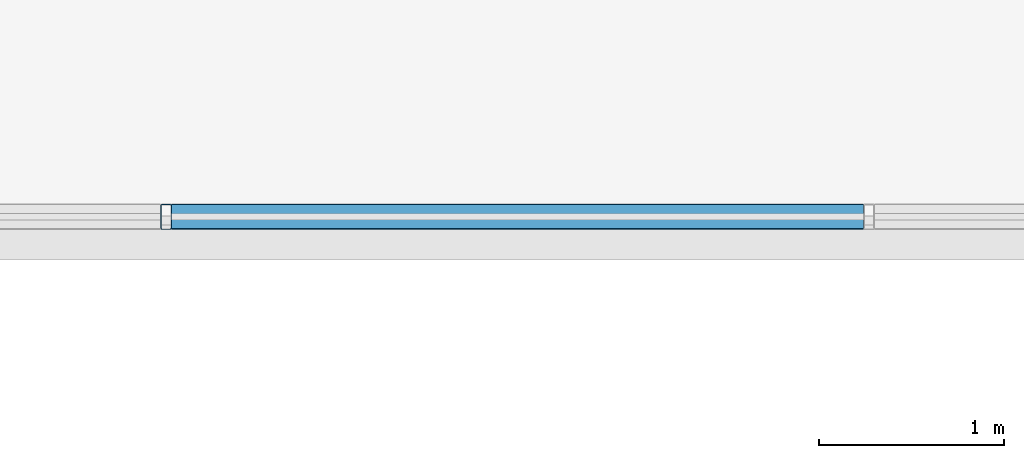
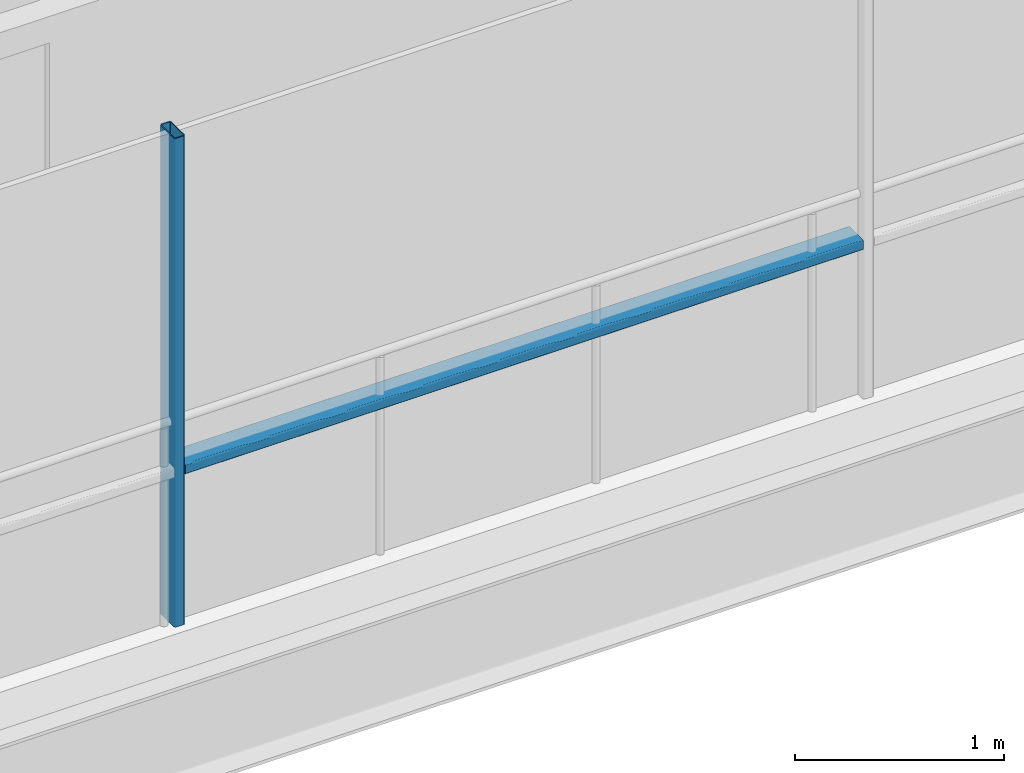
# One storey, part 11 of 40: 2 members, 1 element without a shape of its own.
"""IFC4 building model written with IfcOpenShell, lengths in metres."""

from ifc_helpers import new_model, si_unit, direction, frame, origin, origin_2d, place, context, subcontext, project, spatial, hollow_rectangle, extrude, material, layer, layer_set, material_profile, profile_set, type_object, element, aggregate, save


model = new_model("IFC4")

# Units and contexts
model_context = context("Model", 3, precision=1e-05, world=origin(), true_north=direction((0.0, 1.0)))
body_context = subcontext(model_context, "Body", "Model", "MODEL_VIEW")
ifc_project = project(units=[si_unit("LENGTHUNIT", "METRE"), si_unit("AREAUNIT", "SQUARE_METRE"), si_unit("VOLUMEUNIT", "CUBIC_METRE"), si_unit("PLANEANGLEUNIT", "RADIAN"), si_unit("MASSUNIT", "GRAM", prefix="KILO")], contexts=[model_context])

# Site, building, storey
site_placement = place(None, origin())
site = spatial("IfcSite", under=ifc_project, at=site_placement, CompositionType="ELEMENT")
building_placement = place(site_placement, origin())
building = spatial("IfcBuilding", under=site, at=building_placement, Name="Brevholm Reach", CompositionType="ELEMENT")
storey_placement = place(building_placement, frame((0.0, 0.0, 131.39990234375)))
storey = spatial("IfcBuildingStorey", under=building, at=storey_placement, Name="L39", CompositionType="ELEMENT", Elevation=131.39990234375)

# Curtain wall, members
ifc_material_1 = material(Name="Dark Anodised Aluminium 6063-T6 and Solar-Control Glass", Category="aluminium")
ifc_layer = layer(ifc_material_1, 0.139892578125)
ifc_layer_set = layer_set([ifc_layer], Name="Dark Anodised Aluminium 6063-T6 and Solar-Control Glass")
curtain_wall_type = type_object("IfcCurtainWallType", Name="CW-02", PredefinedType="NOTDEFINED", material=ifc_layer_set)
curtain_wall_placement = place(storey_placement, origin())
curtain_wall = element("IfcCurtainWall", 1, at=curtain_wall_placement, inside=storey, type_object=curtain_wall_type, Name="L39 Curtain Wall CW-02", PredefinedType="NOTDEFINED")
ifc_material_2 = material(Name="Dark Anodised Aluminium 6063-T6", Category="aluminium")
ifc_material_profile_1 = material_profile(ifc_material_2, hollow_rectangle(XDim=0.06005859375, YDim=0.139892578125, WallThickness=0.0048828125, InnerFilletRadius=0.0048828125, OuterFilletRadius=0.010009765625, at=origin_2d()), Name="RHS 140x60x5")
ifc_profile_set_1 = profile_set([ifc_material_profile_1], Name="Dark Anodised Aluminium 6063-T6")
member_type_1 = type_object("IfcMemberType", Name="CWM-140", PredefinedType="MULLION", material=ifc_profile_set_1)
member_1_placement = place(storey_placement, frame((30.050048828125, 26.6201171875, 0.0), z_axis=(0.0, 0.0, 1.0), x_axis=(-1.0, 0.0, 0.0)))
member_1 = element("IfcMember", 2, at=member_1_placement, type_object=member_type_1, Name="CM-140 Mullion 3", PredefinedType="MULLION", context=body_context, shape_type="SweptSolid", body=[
    extrude(hollow_rectangle(XDim=0.06005859375, YDim=0.139892578125, WallThickness=0.0048828125, InnerFilletRadius=0.0048828125, OuterFilletRadius=0.010009765625, at=origin_2d()), origin(), (0.0, 0.0, 1.0), 2.85009765625),
])
ifc_material_3 = material(Name="Dark Anodised Aluminium 6063-T6", Category="aluminium")
ifc_material_profile_2 = material_profile(ifc_material_3, hollow_rectangle(XDim=0.06005859375, YDim=0.139892578125, WallThickness=0.0048828125, InnerFilletRadius=0.0048828125, OuterFilletRadius=0.010009765625, at=origin_2d()), Name="RHS 140x60x5")
ifc_profile_set_2 = profile_set([ifc_material_profile_2], Name="Dark Anodised Aluminium 6063-T6")
member_type_2 = type_object("IfcMemberType", Name="CWT-140", PredefinedType="NOTDEFINED", material=ifc_profile_set_2)
member_2_placement = place(storey_placement, frame((33.820068359375, 26.6201171875, 0.900146484375), z_axis=(-1.0, 0.0, 0.0), x_axis=(0.0, 0.0, 1.0)))
member_2 = element("IfcMember", 3, at=member_2_placement, type_object=member_type_2, Name="CT-140 Transom 2.1", ObjectType="TRANSOM", PredefinedType="USERDEFINED", context=body_context, shape_type="SweptSolid", body=[
    extrude(hollow_rectangle(XDim=0.06005859375, YDim=0.139892578125, WallThickness=0.0048828125, InnerFilletRadius=0.0048828125, OuterFilletRadius=0.010009765625, at=origin_2d()), origin(), (0.0, 0.0, 1.0), 3.739990234375),
])
aggregate(curtain_wall, [member_1, member_2])

save(model, "model.ifc")
